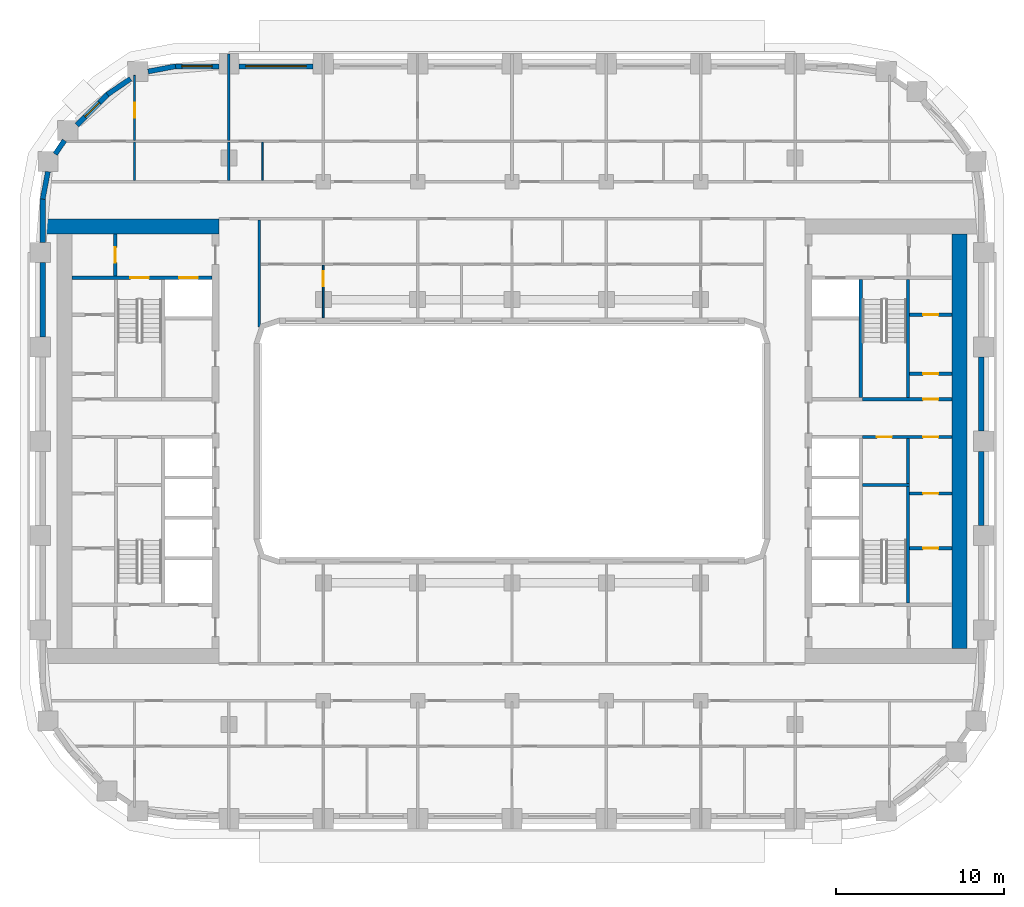
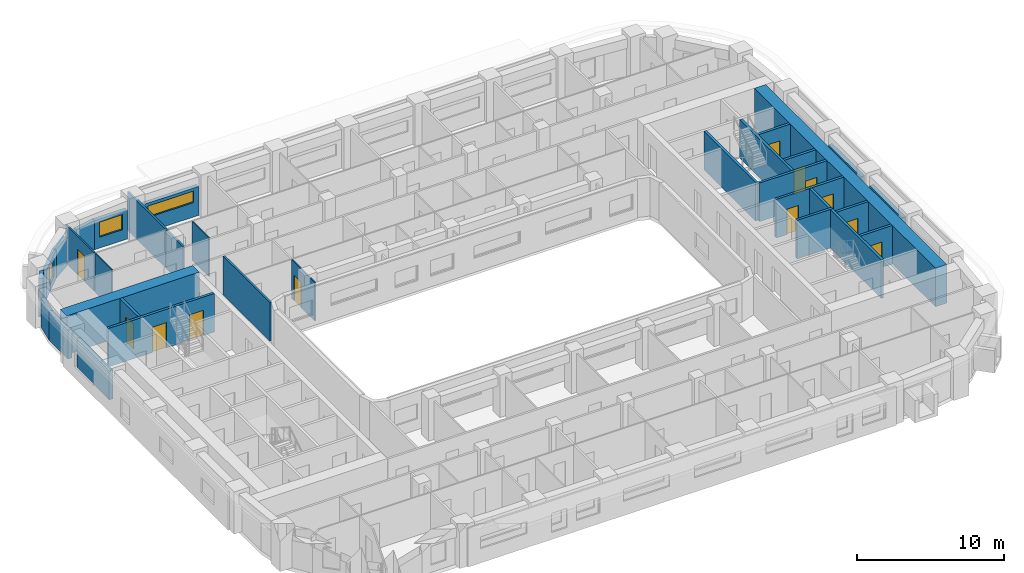
# One storey, part 7 of 22: 33 walls, 12 doors, 3 windows, 15 openings.
"""IFC4 building model written with IfcOpenShell, lengths in metres."""

from ifc_helpers import new_model, si_unit, direction, frame, frame_2d, origin, place, context, subcontext, project, spatial, rectangle, extrude, material, layer, layer_set, type_object, element, fill, save


model = new_model("IFC4")

# Units and contexts
model_context = context("Model", 3, precision=1e-05, world=origin(), true_north=direction((0.0, 1.0)))
body_context = subcontext(model_context, "Body", "Model", "MODEL_VIEW")
ifc_project = project(units=[si_unit("LENGTHUNIT", "METRE"), si_unit("AREAUNIT", "SQUARE_METRE"), si_unit("VOLUMEUNIT", "CUBIC_METRE"), si_unit("PLANEANGLEUNIT", "RADIAN"), si_unit("MASSUNIT", "GRAM", prefix="KILO")], contexts=[model_context])

# Site, building, storey
site_placement = place(None, origin())
site = spatial("IfcSite", under=ifc_project, at=site_placement, CompositionType="ELEMENT")
building_placement = place(site_placement, origin())
building = spatial("IfcBuilding", under=site, at=building_placement, Name="Kiln Ring Residences", CompositionType="ELEMENT")
storey_placement = place(building_placement, frame((0.0, 0.0, 111.300048828125)))
storey = spatial("IfcBuildingStorey", under=building, at=storey_placement, Name="L28", CompositionType="ELEMENT", Elevation=111.300048828125)

# Wall, opening, door
ifc_material_1 = material(Name="Gypsum board on steel studs", Category="steel")
ifc_layer_1 = layer(ifc_material_1, 0.199951171875)
ifc_layer_set_1 = layer_set([ifc_layer_1], Name="CORE-PARTITION-200")
wall_type_1 = type_object("IfcWallType", Name="CORE-PARTITION-200", PredefinedType="PARTITIONING", material=ifc_layer_set_1)
wall_1_placement = place(storey_placement, frame((-23.550048828125, 9.800048828125, 0.0), z_axis=(0.0, 0.0, 1.0), x_axis=(0.0, 1.0, 0.0)))
wall_1 = element("IfcWall", 1, at=wall_1_placement, inside=storey, type_object=wall_type_1, Name="Core partition west L28 3", PredefinedType="PARTITIONING", context=body_context, shape_type="SweptSolid", body=[
    extrude(rectangle(XDim=2.5, YDim=0.199951171875, at=frame_2d((1.25, 0.0))), origin(), (0.0, 0.0, 1.0), 3.199951171875),
])
opening_1_placement = place(wall_1_placement, frame((0.800048828125, 0.0, 0.0)))
opening_1 = element("IfcOpeningElement", 2, at=opening_1_placement, cuts=wall_1, Name="Opening L28-CW09", PredefinedType="OPENING", context=body_context, shape_type="SweptSolid", body=[
    extrude(rectangle(XDim=0.89990234375, YDim=2.10009765625, at=frame_2d((0.449951171875, 1.050048828125))), frame((0.0, 0.10986328125, 0.0), z_axis=(0.0, -1.0, 0.0), x_axis=(1.0, 0.0, 0.0)), (0.0, 0.0, 1.0), 0.219970703125),
])
ifc_material_2 = material(Name="Steel door leaf", Category="steel")
door_type_1 = type_object("IfcDoorType", Name="CORE-DOOR-ROOM", OperationType="SINGLE_SWING_LEFT", PredefinedType="DOOR", material=ifc_material_2)
door_1_placement = place(opening_1_placement, origin())
door_1 = element("IfcDoor", 3, at=door_1_placement, inside=storey, type_object=door_type_1, Name="Fire riser room L28-CW09", OperationType="SINGLE_SWING_LEFT", OverallHeight=2.10009765625, OverallWidth=0.89990234375, PredefinedType="DOOR", context=body_context, shape_type="SweptSolid", body=[
    extrude(rectangle(XDim=0.89990234375, YDim=2.10009765625, at=frame_2d((0.449951171875, 1.050048828125))), frame((0.0, 0.02490234375, 0.0), z_axis=(0.0, -1.0, 0.0), x_axis=(1.0, 0.0, 0.0)), (0.0, 0.0, 1.0), 0.050048828125),
])
fill(opening_1, door_1)

# Wall
wall_2_placement = place(storey_placement, frame((23.5, -2.5, 0.0), z_axis=(0.0, 0.0, 1.0), x_axis=(0.0, 1.0, 0.0)))
element("IfcWall", 4, at=wall_2_placement, inside=storey, type_object=wall_type_1, Name="Core partition east L28 1", PredefinedType="PARTITIONING", context=body_context, shape_type="SweptSolid", body=[
    extrude(rectangle(XDim=2.64990234375, YDim=0.199951171875, at=frame_2d((1.324951171875, 0.0))), origin(), (0.0, 0.0, 1.0), 3.199951171875),
])

# Wall, openings, doors
wall_3_placement = place(storey_placement, frame((20.800048828125, 0.25, 0.0), z_axis=(0.0, 0.0, 1.0), x_axis=(1.0, 0.0, 0.0)))
wall_3 = element("IfcWall", 5, at=wall_3_placement, inside=storey, type_object=wall_type_1, Name="Core partition east L28 2", PredefinedType="PARTITIONING", context=body_context, shape_type="SweptSolid", body=[
    extrude(rectangle(XDim=5.300048828125, YDim=0.199951171875, at=frame_2d((2.64990234375, 0.0))), origin(), (0.0, 0.0, 1.0), 3.199951171875),
])
opening_2_placement = place(wall_3_placement, frame((0.85009765625, 0.0, 0.0)))
opening_2 = element("IfcOpeningElement", 6, at=opening_2_placement, cuts=wall_3, Name="Opening L28-CE14", PredefinedType="OPENING", context=body_context, shape_type="SweptSolid", body=[
    extrude(rectangle(XDim=0.89990234375, YDim=2.10009765625, at=frame_2d((0.449951171875, 1.050048828125))), frame((0.0, 0.10986328125, 0.0), z_axis=(0.0, -1.0, 0.0), x_axis=(1.0, 0.0, 0.0)), (0.0, 0.0, 1.0), 0.219970703125),
])
opening_3_placement = place(wall_3_placement, frame((3.60009765625, 0.0, 0.0)))
opening_3 = element("IfcOpeningElement", 7, at=opening_3_placement, cuts=wall_3, Name="Opening L28-CE17", PredefinedType="OPENING", context=body_context, shape_type="SweptSolid", body=[
    extrude(rectangle(XDim=0.89990234375, YDim=2.10009765625, at=frame_2d((0.449951171875, 1.050048828125))), frame((0.0, 0.10986328125, 0.0), z_axis=(0.0, -1.0, 0.0), x_axis=(1.0, 0.0, 0.0)), (0.0, 0.0, 1.0), 0.219970703125),
])
door_2_placement = place(opening_2_placement, origin())
door_2 = element("IfcDoor", 8, at=door_2_placement, inside=storey, type_object=door_type_1, Name="Electrical riser room L28-CE14", OperationType="SINGLE_SWING_LEFT", OverallHeight=2.10009765625, OverallWidth=0.89990234375, PredefinedType="DOOR", context=body_context, shape_type="SweptSolid", body=[
    extrude(rectangle(XDim=0.89990234375, YDim=2.10009765625, at=frame_2d((0.449951171875, 1.050048828125))), frame((0.0, 0.02490234375, 0.0), z_axis=(0.0, -1.0, 0.0), x_axis=(1.0, 0.0, 0.0)), (0.0, 0.0, 1.0), 0.050048828125),
])
fill(opening_2, door_2)
door_3_placement = place(opening_3_placement, origin())
door_3 = element("IfcDoor", 9, at=door_3_placement, inside=storey, type_object=door_type_1, Name="Plant room L28-CE17", OperationType="SINGLE_SWING_RIGHT", OverallHeight=2.10009765625, OverallWidth=0.89990234375, PredefinedType="DOOR", context=body_context, shape_type="SweptSolid", body=[
    extrude(rectangle(XDim=0.89990234375, YDim=2.10009765625, at=frame_2d((0.449951171875, 1.050048828125))), frame((0.0, 0.02490234375, 0.0), z_axis=(0.0, -1.0, 0.0), x_axis=(1.0, 0.0, 0.0)), (0.0, 0.0, 1.0), 0.050048828125),
])
fill(opening_3, door_3)

# Wall, opening, door
wall_4_placement = place(storey_placement, frame((23.60009765625, -6.35009765625, 0.0), z_axis=(0.0, 0.0, 1.0), x_axis=(1.0, 0.0, 0.0)))
wall_4 = element("IfcWall", 10, at=wall_4_placement, inside=storey, type_object=wall_type_1, Name="Core partition east L28 5", PredefinedType="PARTITIONING", context=body_context, shape_type="SweptSolid", body=[
    extrude(rectangle(XDim=2.5, YDim=0.199951171875, at=frame_2d((1.25, 0.0))), origin(), (0.0, 0.0, 1.0), 3.199951171875),
])
opening_4_placement = place(wall_4_placement, frame((0.800048828125, 0.0, 0.0)))
opening_4 = element("IfcOpeningElement", 11, at=opening_4_placement, cuts=wall_4, Name="Opening L28-CE15", PredefinedType="OPENING", context=body_context, shape_type="SweptSolid", body=[
    extrude(rectangle(XDim=0.89990234375, YDim=2.10009765625, at=frame_2d((0.449951171875, 1.050048828125))), frame((0.0, 0.10986328125, 0.0), z_axis=(0.0, -1.0, 0.0), x_axis=(1.0, 0.0, 0.0)), (0.0, 0.0, 1.0), 0.219970703125),
])
door_4_placement = place(opening_4_placement, origin())
door_4 = element("IfcDoor", 12, at=door_4_placement, inside=storey, type_object=door_type_1, Name="Meter room L28-CE15", OperationType="SINGLE_SWING_LEFT", OverallHeight=2.10009765625, OverallWidth=0.89990234375, PredefinedType="DOOR", context=body_context, shape_type="SweptSolid", body=[
    extrude(rectangle(XDim=0.89990234375, YDim=2.10009765625, at=frame_2d((0.449951171875, 1.050048828125))), frame((0.0, 0.02490234375, 0.0), z_axis=(0.0, -1.0, 0.0), x_axis=(1.0, 0.0, 0.0)), (0.0, 0.0, 1.0), 0.050048828125),
])
fill(opening_4, door_4)

wall_5_placement = place(storey_placement, frame((23.60009765625, -3.10009765625, 0.0), z_axis=(0.0, 0.0, 1.0), x_axis=(1.0, 0.0, 0.0)))
wall_5 = element("IfcWall", 13, at=wall_5_placement, inside=storey, type_object=wall_type_1, Name="Core partition east L28 6", PredefinedType="PARTITIONING", context=body_context, shape_type="SweptSolid", body=[
    extrude(rectangle(XDim=2.5, YDim=0.199951171875, at=frame_2d((1.25, 0.0))), origin(), (0.0, 0.0, 1.0), 3.199951171875),
])
opening_5_placement = place(wall_5_placement, frame((0.800048828125, 0.0, 0.0)))
opening_5 = element("IfcOpeningElement", 14, at=opening_5_placement, cuts=wall_5, Name="Opening L28-CE16", PredefinedType="OPENING", context=body_context, shape_type="SweptSolid", body=[
    extrude(rectangle(XDim=0.89990234375, YDim=2.10009765625, at=frame_2d((0.449951171875, 1.050048828125))), frame((0.0, 0.10986328125, 0.0), z_axis=(0.0, -1.0, 0.0), x_axis=(1.0, 0.0, 0.0)), (0.0, 0.0, 1.0), 0.219970703125),
])
door_5_placement = place(opening_5_placement, origin())
door_5 = element("IfcDoor", 15, at=door_5_placement, inside=storey, type_object=door_type_1, Name="Plant room L28-CE16", OperationType="SINGLE_SWING_RIGHT", OverallHeight=2.10009765625, OverallWidth=0.89990234375, PredefinedType="DOOR", context=body_context, shape_type="SweptSolid", body=[
    extrude(rectangle(XDim=0.89990234375, YDim=2.10009765625, at=frame_2d((0.449951171875, 1.050048828125))), frame((0.0, 0.02490234375, 0.0), z_axis=(0.0, -1.0, 0.0), x_axis=(1.0, 0.0, 0.0)), (0.0, 0.0, 1.0), 0.050048828125),
])
fill(opening_5, door_5)

wall_6_placement = place(storey_placement, frame((23.60009765625, 4.0, 0.0), z_axis=(0.0, 0.0, 1.0), x_axis=(1.0, 0.0, 0.0)))
wall_6 = element("IfcWall", 16, at=wall_6_placement, inside=storey, type_object=wall_type_1, Name="Core partition east L28 7", PredefinedType="PARTITIONING", context=body_context, shape_type="SweptSolid", body=[
    extrude(rectangle(XDim=2.5, YDim=0.199951171875, at=frame_2d((1.25, 0.0))), origin(), (0.0, 0.0, 1.0), 3.199951171875),
])
opening_6_placement = place(wall_6_placement, frame((0.800048828125, 0.0, 0.0)))
opening_6 = element("IfcOpeningElement", 17, at=opening_6_placement, cuts=wall_6, Name="Opening L28-CE18", PredefinedType="OPENING", context=body_context, shape_type="SweptSolid", body=[
    extrude(rectangle(XDim=0.89990234375, YDim=2.10009765625, at=frame_2d((0.449951171875, 1.050048828125))), frame((0.0, 0.10986328125, 0.0), z_axis=(0.0, -1.0, 0.0), x_axis=(1.0, 0.0, 0.0)), (0.0, 0.0, 1.0), 0.219970703125),
])
door_6_placement = place(opening_6_placement, origin())
door_6 = element("IfcDoor", 18, at=door_6_placement, inside=storey, type_object=door_type_1, Name="Electrical plant room L28-CE18", OperationType="SINGLE_SWING_RIGHT", OverallHeight=2.10009765625, OverallWidth=0.89990234375, PredefinedType="DOOR", context=body_context, shape_type="SweptSolid", body=[
    extrude(rectangle(XDim=0.89990234375, YDim=2.10009765625, at=frame_2d((0.449951171875, 1.050048828125))), frame((0.0, 0.02490234375, 0.0), z_axis=(0.0, -1.0, 0.0), x_axis=(1.0, 0.0, 0.0)), (0.0, 0.0, 1.0), 0.050048828125),
])
fill(opening_6, door_6)

wall_7_placement = place(storey_placement, frame((23.60009765625, 7.5, 0.0), z_axis=(0.0, 0.0, 1.0), x_axis=(1.0, 0.0, 0.0)))
wall_7 = element("IfcWall", 19, at=wall_7_placement, inside=storey, type_object=wall_type_1, Name="Core partition east L28 8", PredefinedType="PARTITIONING", context=body_context, shape_type="SweptSolid", body=[
    extrude(rectangle(XDim=2.5, YDim=0.199951171875, at=frame_2d((1.25, 0.0))), origin(), (0.0, 0.0, 1.0), 3.199951171875),
])
opening_7_placement = place(wall_7_placement, frame((0.800048828125, 0.0, 0.0)))
opening_7 = element("IfcOpeningElement", 20, at=opening_7_placement, cuts=wall_7, Name="Opening L28-CE19", PredefinedType="OPENING", context=body_context, shape_type="SweptSolid", body=[
    extrude(rectangle(XDim=0.89990234375, YDim=2.10009765625, at=frame_2d((0.449951171875, 1.050048828125))), frame((0.0, 0.10986328125, 0.0), z_axis=(0.0, -1.0, 0.0), x_axis=(1.0, 0.0, 0.0)), (0.0, 0.0, 1.0), 0.219970703125),
])
door_7_placement = place(opening_7_placement, origin())
door_7 = element("IfcDoor", 21, at=door_7_placement, inside=storey, type_object=door_type_1, Name="UPS room L28-CE19", OperationType="SINGLE_SWING_LEFT", OverallHeight=2.10009765625, OverallWidth=0.89990234375, PredefinedType="DOOR", context=body_context, shape_type="SweptSolid", body=[
    extrude(rectangle(XDim=0.89990234375, YDim=2.10009765625, at=frame_2d((0.449951171875, 1.050048828125))), frame((0.0, 0.02490234375, 0.0), z_axis=(0.0, -1.0, 0.0), x_axis=(1.0, 0.0, 0.0)), (0.0, 0.0, 1.0), 0.050048828125),
])
fill(opening_7, door_7)

# Wall, openings, doors
ifc_material_3 = material(Name="Concrete C40/50", Category="concrete")
ifc_layer_2 = layer(ifc_material_3, 0.199951171875)
ifc_layer_set_2 = layer_set([ifc_layer_2], Name="CORE-WALL-RC200")
wall_type_2 = type_object("IfcWallType", Name="CORE-WALL-RC200", PredefinedType="SHEAR", material=ifc_layer_set_2)
wall_8_placement = place(storey_placement, frame((-17.800048828125, 9.699951171875, 0.0), z_axis=(0.0, 0.0, 1.0), x_axis=(-1.0, 0.0, 0.0)))
wall_8 = element("IfcWall", 22, at=wall_8_placement, inside=storey, type_object=wall_type_2, Name="Core wall west L28 9", PredefinedType="SHEAR", context=body_context, shape_type="SweptSolid", body=[
    extrude(rectangle(XDim=8.300048828125, YDim=0.199951171875, at=frame_2d((4.14990234375, 0.0))), origin(), (0.0, 0.0, 1.0), 3.199951171875),
])
opening_8_placement = place(wall_8_placement, frame((0.85009765625, 0.0, 0.0)))
opening_8 = element("IfcOpeningElement", 23, at=opening_8_placement, cuts=wall_8, Name="Opening L28-CW06", PredefinedType="OPENING", context=body_context, shape_type="SweptSolid", body=[
    extrude(rectangle(XDim=1.10009765625, YDim=2.10009765625, at=frame_2d((0.550048828125, 1.050048828125))), frame((0.0, 0.10986328125, 0.0), z_axis=(0.0, -1.0, 0.0), x_axis=(1.0, 0.0, 0.0)), (0.0, 0.0, 1.0), 0.219970703125),
])
opening_9_placement = place(wall_8_placement, frame((3.75, 0.0, 0.0)))
opening_9 = element("IfcOpeningElement", 24, at=opening_9_placement, cuts=wall_8, Name="Opening L28-CW11", PredefinedType="OPENING", context=body_context, shape_type="SweptSolid", body=[
    extrude(rectangle(XDim=1.10009765625, YDim=2.10009765625, at=frame_2d((0.550048828125, 1.050048828125))), frame((0.0, 0.10986328125, 0.0), z_axis=(0.0, -1.0, 0.0), x_axis=(1.0, 0.0, 0.0)), (0.0, 0.0, 1.0), 0.219970703125),
])
ifc_material_4 = material(Name="Steel door leaf", Category="steel")
door_type_2 = type_object("IfcDoorType", Name="CORE-DOOR-LD", OperationType="DOUBLE_DOOR_SLIDING", PredefinedType="DOOR", material=ifc_material_4)
door_8_placement = place(opening_8_placement, origin())
door_8 = element("IfcDoor", 25, at=door_8_placement, inside=storey, type_object=door_type_2, Name="LD W-FF L28-CW06", OperationType="DOUBLE_DOOR_SLIDING", OverallHeight=2.10009765625, OverallWidth=1.10009765625, PredefinedType="DOOR", context=body_context, shape_type="SweptSolid", body=[
    extrude(rectangle(XDim=1.10009765625, YDim=2.10009765625, at=frame_2d((0.550048828125, 1.050048828125))), frame((0.0, 0.02490234375, 0.0), z_axis=(0.0, -1.0, 0.0), x_axis=(1.0, 0.0, 0.0)), (0.0, 0.0, 1.0), 0.050048828125),
])
fill(opening_8, door_8)
ifc_material_5 = material(Name="Steel door leaf", Category="steel")
door_type_3 = type_object("IfcDoorType", Name="CORE-DOOR-STAIR", OperationType="SINGLE_SWING_LEFT", PredefinedType="DOOR", material=ifc_material_5)
door_9_placement = place(opening_9_placement, origin())
door_9 = element("IfcDoor", 26, at=door_9_placement, inside=storey, type_object=door_type_3, Name="Stair W-STN L28-CW11", OperationType="SINGLE_SWING_LEFT", OverallHeight=2.10009765625, OverallWidth=1.10009765625, PredefinedType="DOOR", context=body_context, shape_type="SweptSolid", body=[
    extrude(rectangle(XDim=1.10009765625, YDim=2.10009765625, at=frame_2d((0.550048828125, 1.050048828125))), frame((0.0, 0.02490234375, 0.0), z_axis=(0.0, -1.0, 0.0), x_axis=(1.0, 0.0, 0.0)), (0.0, 0.0, 1.0), 0.050048828125),
])
fill(opening_9, door_9)

# Wall
wall_9_placement = place(storey_placement, frame((20.699951171875, 2.60009765625, 0.0), z_axis=(0.0, 0.0, 1.0), x_axis=(0.0, 1.0, 0.0)))
element("IfcWall", 27, at=wall_9_placement, inside=storey, type_object=wall_type_2, Name="Core wall east L28 1", PredefinedType="SHEAR", context=body_context, shape_type="SweptSolid", body=[
    extrude(rectangle(XDim=7.0, YDim=0.199951171875, at=frame_2d((3.5, 0.0))), origin(), (0.0, 0.0, 1.0), 3.199951171875),
])

# Wall, opening, door
wall_10_placement = place(storey_placement, frame((20.800048828125, 2.5, 0.0), z_axis=(0.0, 0.0, 1.0), x_axis=(1.0, 0.0, 0.0)))
wall_10 = element("IfcWall", 28, at=wall_10_placement, inside=storey, type_object=wall_type_2, Name="Core wall east L28 3", PredefinedType="SHEAR", context=body_context, shape_type="SweptSolid", body=[
    extrude(rectangle(XDim=5.300048828125, YDim=0.199951171875, at=frame_2d((2.64990234375, 0.0))), origin(), (0.0, 0.0, 1.0), 3.199951171875),
])
opening_10_placement = place(wall_10_placement, frame((3.60009765625, 0.0, 0.0)))
opening_10 = element("IfcOpeningElement", 29, at=opening_10_placement, cuts=wall_10, Name="Opening L28-CE20", PredefinedType="OPENING", context=body_context, shape_type="SweptSolid", body=[
    extrude(rectangle(XDim=0.89990234375, YDim=2.10009765625, at=frame_2d((0.449951171875, 1.050048828125))), frame((0.0, 0.10986328125, 0.0), z_axis=(0.0, -1.0, 0.0), x_axis=(1.0, 0.0, 0.0)), (0.0, 0.0, 1.0), 0.219970703125),
])
door_10_placement = place(opening_10_placement, origin())
door_10 = element("IfcDoor", 30, at=door_10_placement, inside=storey, type_object=door_type_1, Name="Comms room L28-CE20", OperationType="SINGLE_SWING_RIGHT", OverallHeight=2.10009765625, OverallWidth=0.89990234375, PredefinedType="DOOR", context=body_context, shape_type="SweptSolid", body=[
    extrude(rectangle(XDim=0.89990234375, YDim=2.10009765625, at=frame_2d((0.449951171875, 1.050048828125))), frame((0.0, 0.02490234375, 0.0), z_axis=(0.0, -1.0, 0.0), x_axis=(1.0, 0.0, 0.0)), (0.0, 0.0, 1.0), 0.050048828125),
])
fill(opening_10, door_10)

# Walls
wall_11_placement = place(storey_placement, frame((23.5, 2.60009765625, 0.0), z_axis=(0.0, 0.0, 1.0), x_axis=(0.0, 1.0, 0.0)))
element("IfcWall", 31, at=wall_11_placement, inside=storey, type_object=wall_type_2, Name="Core wall east L28 10", PredefinedType="SHEAR", context=body_context, shape_type="SweptSolid", body=[
    extrude(rectangle(XDim=7.0, YDim=0.199951171875, at=frame_2d((3.5, 0.0))), origin(), (0.0, 0.0, 1.0), 3.199951171875),
])
wall_12_placement = place(storey_placement, frame((23.5, -9.60009765625, 0.0), z_axis=(0.0, 0.0, 1.0), x_axis=(0.0, 1.0, 0.0)))
element("IfcWall", 32, at=wall_12_placement, inside=storey, type_object=wall_type_2, Name="Core wall east L28 11", PredefinedType="SHEAR", context=body_context, shape_type="SweptSolid", body=[
    extrude(rectangle(XDim=6.900146484375, YDim=0.199951171875, at=frame_2d((3.4501953125, 0.0))), origin(), (0.0, 0.0, 1.0), 3.199951171875),
])
wall_13_placement = place(storey_placement, frame((20.800048828125, -2.60009765625, 0.0), z_axis=(0.0, 0.0, 1.0), x_axis=(1.0, 0.0, 0.0)))
element("IfcWall", 33, at=wall_13_placement, inside=storey, type_object=wall_type_2, Name="Core wall east L28 12", PredefinedType="SHEAR", context=body_context, shape_type="SweptSolid", body=[
    extrude(rectangle(XDim=2.800048828125, YDim=0.199951171875, at=frame_2d((1.39990234375, 0.0))), origin(), (0.0, 0.0, 1.0), 3.199951171875),
])
ifc_material_6 = material(Name="Concrete C60/75", Category="concrete")
ifc_layer_3 = layer(ifc_material_6, 0.89990234375)
ifc_layer_set_3 = layer_set([ifc_layer_3], Name="CORE-WALL-RC900")
wall_type_3 = type_object("IfcWallType", Name="CORE-WALL-RC900", PredefinedType="SHEAR", material=ifc_layer_set_3)
wall_14_placement = place(storey_placement, frame((-17.39990234375, 12.75, 0.0), z_axis=(0.0, 0.0, 1.0), x_axis=(-1.0, 0.0, 0.0)))
element("IfcWall", 34, at=wall_14_placement, inside=storey, type_object=wall_type_3, Name="Core wall west L28 4", PredefinedType="SHEAR", context=body_context, shape_type="SweptSolid", body=[
    extrude(rectangle(XDim=10.400146484375, YDim=0.89990234375, at=frame_2d((5.2001953125, 0.0))), origin(), (0.0, 0.0, 1.0), 3.199951171875),
])
wall_15_placement = place(storey_placement, frame((26.550048828125, -12.300048828125, 0.0), z_axis=(0.0, 0.0, 1.0), x_axis=(0.0, 1.0, 0.0)))
element("IfcWall", 35, at=wall_15_placement, inside=storey, type_object=wall_type_3, Name="Core wall east L28 7", PredefinedType="SHEAR", context=body_context, shape_type="SweptSolid", body=[
    extrude(rectangle(XDim=24.60009765625, YDim=0.89990234375, at=frame_2d((12.300048828125, 0.0))), origin(), (0.0, 0.0, 1.0), 3.199951171875),
])
ifc_material_7 = material(Name="Brick masonry, dark clay brick", Category="masonry")
ifc_layer_4 = layer(ifc_material_7, 0.300048828125)
ifc_layer_set_4 = layer_set([ifc_layer_4], Name="EW-300 BRICK WALL")
wall_type_4 = type_object("IfcWallType", Name="EW-300 BRICK WALL", PredefinedType="SOLIDWALL", material=ifc_layer_set_4)
for number, where, z_axis, x_axis, name in (
    (36, (27.85009765625, -5.0, 0.0), (0.0, 0.0, 1.0), (0.0, 1.0, 0.0), "Facade wall L28 19"),
    (37, (27.85009765625, 0.60009765625, 0.0), (0.0, 0.0, 1.0), (0.0, 1.0, 0.0), "Facade wall L28 20"),
):
    element("IfcWall", number, at=place(storey_placement, frame(where, z_axis=z_axis, x_axis=x_axis)), inside=storey, type_object=wall_type_4, Name=name, PredefinedType="SOLIDWALL", context=body_context, shape_type="SweptSolid", body=[
        extrude(rectangle(XDim=4.39990234375, YDim=0.300048828125, at=frame_2d((2.199951171875, 0.0))), origin(), (0.0, 0.0, 1.0), 2.39990234375),
    ])

# Wall, opening, window
wall_16_placement = place(storey_placement, frame((-11.800048828125, 22.25, 0.0), z_axis=(0.0, 0.0, 1.0), x_axis=(-1.0, 0.0, 0.0)))
wall_16 = element("IfcWall", 38, at=wall_16_placement, inside=storey, type_object=wall_type_4, Name="Facade wall L28 34", PredefinedType="SOLIDWALL", context=body_context, shape_type="SweptSolid", body=[
    extrude(rectangle(XDim=4.39990234375, YDim=0.300048828125, at=frame_2d((2.199951171875, 0.0))), origin(), (0.0, 0.0, 1.0), 2.39990234375),
])
opening_11_placement = place(wall_16_placement, frame((0.39990234375, 0.0, 1.199951171875)))
opening_11 = element("IfcOpeningElement", 39, at=opening_11_placement, cuts=wall_16, Name="Opening W4", PredefinedType="OPENING", context=body_context, shape_type="SweptSolid", body=[
    extrude(rectangle(XDim=3.60009765625, YDim=0.949951171875, at=frame_2d((1.800048828125, 0.47509765625))), frame((0.0, 0.159912109375, 0.0), z_axis=(0.0, -1.0, 0.0), x_axis=(1.0, 0.0, 0.0)), (0.0, 0.0, 1.0), 0.320068359375),
])
ifc_material_8 = material(Name="Aluminium frame with double glazing", Category="aluminium")
window_type_1 = type_object("IfcWindowType", Name="WINDOW 3600 x 950", PartitioningType="SINGLE_PANEL", PredefinedType="WINDOW", material=ifc_material_8)
window_1_placement = place(opening_11_placement, origin())
window_1 = element("IfcWindow", 40, at=window_1_placement, inside=storey, type_object=window_type_1, Name="Window L28 20", OverallHeight=0.949951171875, OverallWidth=3.60009765625, PartitioningType="SINGLE_PANEL", PredefinedType="WINDOW", context=body_context, shape_type="SweptSolid", body=[
    extrude(rectangle(XDim=3.60009765625, YDim=0.949951171875, at=frame_2d((1.800048828125, 0.47509765625))), frame((0.0, 0.030029296875, 0.0), z_axis=(0.0, -1.0, 0.0), x_axis=(1.0, 0.0, 0.0)), (0.0, 0.0, 1.0), 0.06005859375),
])
fill(opening_11, window_1)

wall_17_placement = place(storey_placement, frame((-17.39990234375, 22.25, 0.0), z_axis=(0.0, 0.0, 1.0), x_axis=(-1.0, 0.0, 0.0)))
wall_17 = element("IfcWall", 41, at=wall_17_placement, inside=storey, type_object=wall_type_4, Name="Facade wall L28 35", PredefinedType="SOLIDWALL", context=body_context, shape_type="SweptSolid", body=[
    extrude(rectangle(XDim=2.60009765625, YDim=0.300048828125, at=frame_2d((1.300048828125, 0.0))), origin(), (0.0, 0.0, 1.0), 2.39990234375),
])
opening_12_placement = place(wall_17_placement, frame((0.39990234375, 0.0, 0.89990234375)))
opening_12 = element("IfcOpeningElement", 42, at=opening_12_placement, cuts=wall_17, Name="Opening W2", PredefinedType="OPENING", context=body_context, shape_type="SweptSolid", body=[
    extrude(rectangle(XDim=1.800048828125, YDim=1.25, at=frame_2d((0.89990234375, 0.625))), frame((0.0, 0.159912109375, 0.0), z_axis=(0.0, -1.0, 0.0), x_axis=(1.0, 0.0, 0.0)), (0.0, 0.0, 1.0), 0.320068359375),
])
ifc_material_9 = material(Name="Aluminium frame with double glazing", Category="aluminium")
window_type_2 = type_object("IfcWindowType", Name="WINDOW 1800 x 1250", PartitioningType="SINGLE_PANEL", PredefinedType="WINDOW", material=ifc_material_9)
window_2_placement = place(opening_12_placement, origin())
window_2 = element("IfcWindow", 43, at=window_2_placement, inside=storey, type_object=window_type_2, Name="Window L28 21", OverallHeight=1.25, OverallWidth=1.800048828125, PartitioningType="SINGLE_PANEL", PredefinedType="WINDOW", context=body_context, shape_type="SweptSolid", body=[
    extrude(rectangle(XDim=1.800048828125, YDim=1.25, at=frame_2d((0.89990234375, 0.625))), frame((0.0, 0.030029296875, 0.0), z_axis=(0.0, -1.0, 0.0), x_axis=(1.0, 0.0, 0.0)), (0.0, 0.0, 1.0), 0.06005859375),
])
fill(opening_12, window_2)

# Walls
for number, where, z_axis, x_axis, name in (
    (44, (-19.971923828125, 22.252685546875, 0.0), (0.0, 0.0, 1.0), (-0.98228820662, -0.187376303559, 0.0), "Facade wall L28 36"),
    (45, (-22.64306640625, 21.509765625, 0.0), (0.0, 0.0, 1.0), (-0.827049873329, -0.562128550268, 0.0), "Facade wall L28 37"),
):
    element("IfcWall", number, at=place(storey_placement, frame(where, z_axis=z_axis, x_axis=x_axis)), inside=storey, type_object=wall_type_4, Name=name, PredefinedType="SOLIDWALL", context=body_context, shape_type="SweptSolid", body=[
        extrude(rectangle(XDim=1.656005859375, YDim=0.300048828125, at=frame_2d((0.828125, 0.0))), origin(), (0.0, 0.0, 1.0), 2.39990234375),
    ])

# Wall, opening, window
wall_18_placement = place(storey_placement, frame((-23.990966796875, 20.596923828125, 0.0), z_axis=(0.0, 0.0, 1.0), x_axis=(-0.707106781187, -0.707106781187, 0.0)))
wall_18 = element("IfcWall", 46, at=wall_18_placement, inside=storey, type_object=wall_type_4, Name="Facade wall L28 38", PredefinedType="SOLIDWALL", context=body_context, shape_type="SweptSolid", body=[
    extrude(rectangle(XDim=2.60009765625, YDim=0.300048828125, at=frame_2d((1.300048828125, 0.0))), origin(), (0.0, 0.0, 1.0), 2.39990234375),
])
opening_13_placement = place(wall_18_placement, frame((0.699951171875, 0.0, 0.60009765625)))
opening_13 = element("IfcOpeningElement", 47, at=opening_13_placement, cuts=wall_18, Name="Opening W1", PredefinedType="OPENING", context=body_context, shape_type="SweptSolid", body=[
    extrude(rectangle(XDim=1.199951171875, YDim=1.550048828125, at=frame_2d((0.60009765625, 0.77490234375))), frame((0.0, 0.159912109375, 0.0), z_axis=(0.0, -1.0, 0.0), x_axis=(1.0, 0.0, 0.0)), (0.0, 0.0, 1.0), 0.320068359375),
])
ifc_material_10 = material(Name="Aluminium frame with double glazing", Category="aluminium")
window_type_3 = type_object("IfcWindowType", Name="WINDOW 1200 x 1550", PartitioningType="SINGLE_PANEL", PredefinedType="WINDOW", material=ifc_material_10)
window_3_placement = place(opening_13_placement, origin())
window_3 = element("IfcWindow", 48, at=window_3_placement, inside=storey, type_object=window_type_3, Name="Window L28 22", OverallHeight=1.550048828125, OverallWidth=1.199951171875, PartitioningType="SINGLE_PANEL", PredefinedType="WINDOW", context=body_context, shape_type="SweptSolid", body=[
    extrude(rectangle(XDim=1.199951171875, YDim=1.550048828125, at=frame_2d((0.60009765625, 0.77490234375))), frame((0.0, 0.030029296875, 0.0), z_axis=(0.0, -1.0, 0.0), x_axis=(1.0, 0.0, 0.0)), (0.0, 0.0, 1.0), 0.06005859375),
])
fill(opening_13, window_3)

# Walls
wall_19_placement = place(storey_placement, frame((-26.560546875, 17.85107421875, 0.0), z_axis=(0.0, 0.0, 1.0), x_axis=(-0.562173331661, -0.827019434577, 0.0)))
element("IfcWall", 49, at=wall_19_placement, inside=storey, type_object=wall_type_4, Name="Facade wall L28 39", PredefinedType="SOLIDWALL", context=body_context, shape_type="SweptSolid", body=[
    extrude(rectangle(XDim=0.97705078125, YDim=0.300048828125, at=frame_2d((0.488525390625, 0.0))), origin(), (0.0, 0.0, 1.0), 3.199951171875),
])
wall_20_placement = place(storey_placement, frame((-27.542236328125, 15.998779296875, 0.0), z_axis=(0.0, 0.0, 1.0), x_axis=(-0.187349172861, -0.982293381546, 0.0)))
element("IfcWall", 50, at=wall_20_placement, inside=storey, type_object=wall_type_4, Name="Facade wall L28 40", PredefinedType="SOLIDWALL", context=body_context, shape_type="SweptSolid", body=[
    extrude(rectangle(XDim=1.65625, YDim=0.300048828125, at=frame_2d((0.828125, 0.0))), origin(), (0.0, 0.0, 1.0), 2.39990234375),
])
wall_21_placement = place(storey_placement, frame((-27.85009765625, 14.39990234375, 0.0), z_axis=(0.0, 0.0, 1.0), x_axis=(0.0, -1.0, 0.0)))
element("IfcWall", 51, at=wall_21_placement, inside=storey, type_object=wall_type_4, Name="Facade wall L28 41", PredefinedType="SOLIDWALL", context=body_context, shape_type="SweptSolid", body=[
    extrude(rectangle(XDim=2.599853515625, YDim=0.300048828125, at=frame_2d((1.2998046875, 0.0))), origin(), (0.0, 0.0, 1.0), 2.39990234375),
])
wall_22_placement = place(storey_placement, frame((-27.85009765625, 10.60009765625, 0.0), z_axis=(0.0, 0.0, 1.0), x_axis=(0.0, -1.0, 0.0)))
element("IfcWall", 52, at=wall_22_placement, inside=storey, type_object=wall_type_4, Name="Facade wall L28 42", PredefinedType="SOLIDWALL", context=body_context, shape_type="SweptSolid", body=[
    extrude(rectangle(XDim=4.400146484375, YDim=0.300048828125, at=frame_2d((2.2001953125, 0.0))), origin(), (0.0, 0.0, 1.0), 2.39990234375),
])
ifc_material_11 = material(Name="Gypsum board on steel studs", Category="steel")
ifc_layer_5 = layer(ifc_material_11, 0.10009765625)
ifc_layer_set_5 = layer_set([ifc_layer_5], Name="PARTITION-100")
wall_type_5 = type_object("IfcWallType", Name="PARTITION-100", PredefinedType="PARTITIONING", material=ifc_layer_set_5)
wall_23_placement = place(storey_placement, frame((-22.39990234375, 15.47509765625, 0.0), z_axis=(0.0, 0.0, 1.0), x_axis=(0.0, 1.0, 0.0)))
element("IfcWall", 53, at=wall_23_placement, inside=storey, type_object=wall_type_5, Name="Partition 009", PredefinedType="PARTITIONING", context=body_context, shape_type="SweptSolid", body=[
    extrude(rectangle(XDim=2.27490234375, YDim=0.10009765625, at=frame_2d((1.137451171875, 0.0))), origin(), (0.0, 0.0, 1.0), 3.199951171875),
])

# Wall, opening, door
wall_24_placement = place(storey_placement, frame((-22.39990234375, 17.85009765625, 0.0), z_axis=(0.0, 0.0, 1.0), x_axis=(0.0, 1.0, 0.0)))
wall_24 = element("IfcWall", 54, at=wall_24_placement, inside=storey, type_object=wall_type_5, Name="Partition 010", PredefinedType="PARTITIONING", context=body_context, shape_type="SweptSolid", body=[
    extrude(rectangle(XDim=3.869873046875, YDim=0.10009765625, at=frame_2d((1.93505859375, 0.0))), origin(), (0.0, 0.0, 1.0), 3.199951171875),
])
opening_14_placement = place(wall_24_placement, frame((1.347900390625, 0.0, 0.0)))
opening_14 = element("IfcOpeningElement", 55, at=opening_14_placement, cuts=wall_24, Name="Opening L28-D022", PredefinedType="OPENING", context=body_context, shape_type="SweptSolid", body=[
    extrude(rectangle(XDim=0.89990234375, YDim=2.10009765625, at=frame_2d((0.449951171875, 1.050048828125))), frame((0.0, 0.06005859375, 0.0), z_axis=(0.0, -1.0, 0.0), x_axis=(1.0, 0.0, 0.0)), (0.0, 0.0, 1.0), 0.1201171875),
])
ifc_material_12 = material(Name="Timber door leaf", Category="wood")
door_type_4 = type_object("IfcDoorType", Name="FLAT-DOOR-900-PL", OperationType="SINGLE_SWING_LEFT", PredefinedType="DOOR", material=ifc_material_12)
door_11_placement = place(opening_14_placement, origin())
door_11 = element("IfcDoor", 56, at=door_11_placement, inside=storey, type_object=door_type_4, Name="Door L28-D022", OperationType="SINGLE_SWING_RIGHT", OverallHeight=2.10009765625, OverallWidth=0.89990234375, PredefinedType="DOOR", context=body_context, shape_type="SweptSolid", body=[
    extrude(rectangle(XDim=0.89990234375, YDim=2.10009765625, at=frame_2d((0.449951171875, 1.050048828125))), frame((0.0, 0.02490234375, 0.0), z_axis=(0.0, -1.0, 0.0), x_axis=(1.0, 0.0, 0.0)), (0.0, 0.0, 1.0), 0.050048828125),
])
fill(opening_14, door_11)

# Wall
wall_25_placement = place(storey_placement, frame((-14.800048828125, 15.47509765625, 0.0), z_axis=(0.0, 0.0, 1.0), x_axis=(0.0, 1.0, 0.0)))
element("IfcWall", 57, at=wall_25_placement, inside=storey, type_object=wall_type_5, Name="Partition 017", PredefinedType="PARTITIONING", context=body_context, shape_type="SweptSolid", body=[
    extrude(rectangle(XDim=2.27490234375, YDim=0.10009765625, at=frame_2d((1.137451171875, 0.0))), origin(), (0.0, 0.0, 1.0), 3.199951171875),
])

# Wall, opening, door
wall_26_placement = place(storey_placement, frame((-11.199951171875, 7.320068359375, 0.0), z_axis=(0.0, 0.0, 1.0), x_axis=(0.0, 1.0, 0.0)))
wall_26 = element("IfcWall", 58, at=wall_26_placement, inside=storey, type_object=wall_type_5, Name="Partition 022", PredefinedType="PARTITIONING", context=body_context, shape_type="SweptSolid", body=[
    extrude(rectangle(XDim=3.1298828125, YDim=0.10009765625, at=frame_2d((1.56494140625, 0.0))), origin(), (0.0, 0.0, 1.0), 3.199951171875),
])
opening_15_placement = place(wall_26_placement, frame((1.8798828125, 0.0, 0.0)))
opening_15 = element("IfcOpeningElement", 59, at=opening_15_placement, cuts=wall_26, Name="Opening L28-D008", PredefinedType="OPENING", context=body_context, shape_type="SweptSolid", body=[
    extrude(rectangle(XDim=0.89990234375, YDim=2.10009765625, at=frame_2d((0.449951171875, 1.050048828125))), frame((0.0, 0.06005859375, 0.0), z_axis=(0.0, -1.0, 0.0), x_axis=(1.0, 0.0, 0.0)), (0.0, 0.0, 1.0), 0.1201171875),
])
door_12_placement = place(opening_15_placement, origin())
door_12 = element("IfcDoor", 60, at=door_12_placement, inside=storey, type_object=door_type_4, Name="Door L28-D008", OperationType="SINGLE_SWING_LEFT", OverallHeight=2.10009765625, OverallWidth=0.89990234375, PredefinedType="DOOR", context=body_context, shape_type="SweptSolid", body=[
    extrude(rectangle(XDim=0.89990234375, YDim=2.10009765625, at=frame_2d((0.449951171875, 1.050048828125))), frame((0.0, 0.02490234375, 0.0), z_axis=(0.0, -1.0, 0.0), x_axis=(1.0, 0.0, 0.0)), (0.0, 0.0, 1.0), 0.050048828125),
])
fill(opening_15, door_12)

# Walls
ifc_material_13 = material(Name="Brick masonry partition", Category="masonry")
ifc_layer_6 = layer(ifc_material_13, 0.14990234375)
ifc_layer_set_6 = layer_set([ifc_layer_6], Name="PARTITION-150-ei60")
wall_type_6 = type_object("IfcWallType", Name="PARTITION-150-ei60", PredefinedType="PARTITIONING", material=ifc_layer_set_6)
wall_27_placement = place(storey_placement, frame((-16.800048828125, 15.47509765625, 0.0), z_axis=(0.0, 0.0, 1.0), x_axis=(0.0, 1.0, 0.0)))
element("IfcWall", 61, at=wall_27_placement, inside=storey, type_object=wall_type_6, Name="Partition 013", PredefinedType="PARTITIONING", context=body_context, shape_type="SweptSolid", body=[
    extrude(rectangle(XDim=2.27490234375, YDim=0.14990234375, at=frame_2d((1.137451171875, 0.0))), origin(), (0.0, 0.0, 1.0), 3.199951171875),
])
wall_28_placement = place(storey_placement, frame((-16.800048828125, 17.85009765625, 0.0), z_axis=(0.0, 0.0, 1.0), x_axis=(0.0, 1.0, 0.0)))
element("IfcWall", 62, at=wall_28_placement, inside=storey, type_object=wall_type_6, Name="Partition 014", PredefinedType="PARTITIONING", context=body_context, shape_type="SweptSolid", body=[
    extrude(rectangle(XDim=5.1298828125, YDim=0.14990234375, at=frame_2d((2.56494140625, 0.0))), origin(), (0.0, 0.0, 1.0), 3.199951171875),
])
wall_29_placement = place(storey_placement, frame((-15.0, 6.768798828125, 0.0), z_axis=(0.0, 0.0, 1.0), x_axis=(0.0, 1.0, 0.0)))
element("IfcWall", 63, at=wall_29_placement, inside=storey, type_object=wall_type_6, Name="Partition 016", PredefinedType="PARTITIONING", context=body_context, shape_type="SweptSolid", body=[
    extrude(rectangle(XDim=6.356201171875, YDim=0.14990234375, at=frame_2d((3.17822265625, 0.0))), origin(), (0.0, 0.0, 1.0), 3.199951171875),
])

save(model, "model.ifc")
